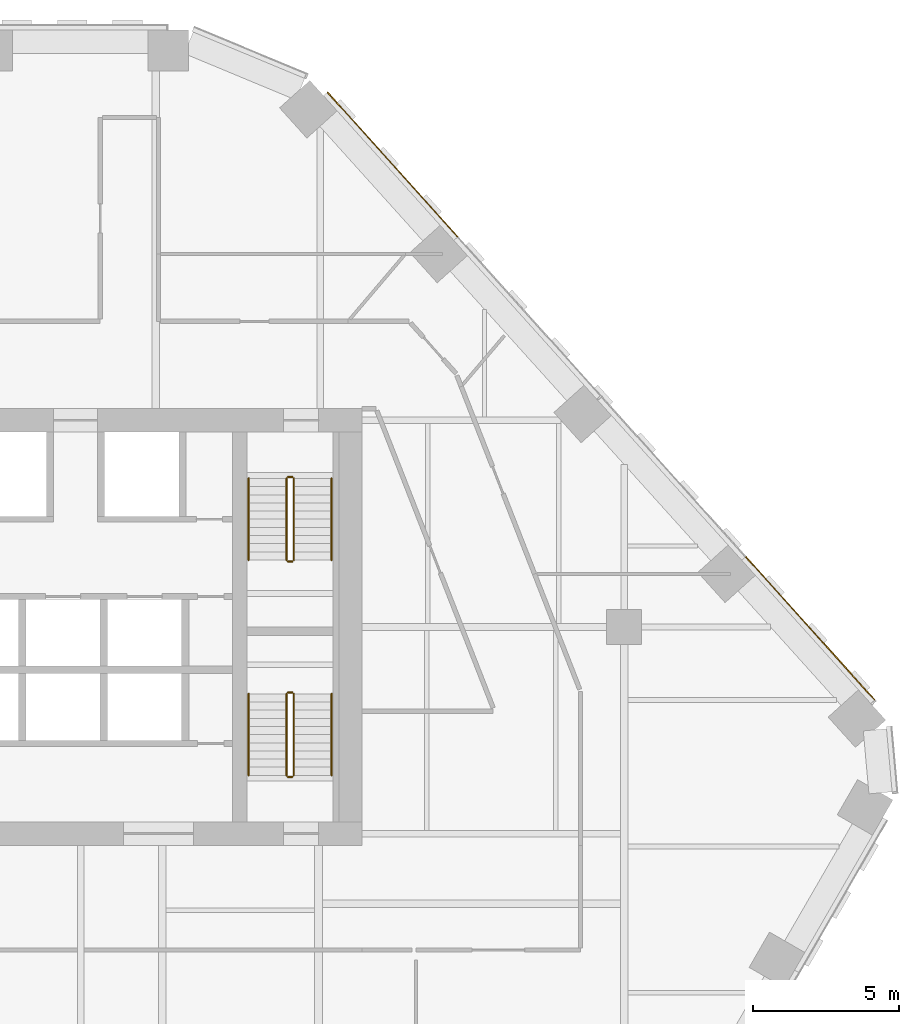
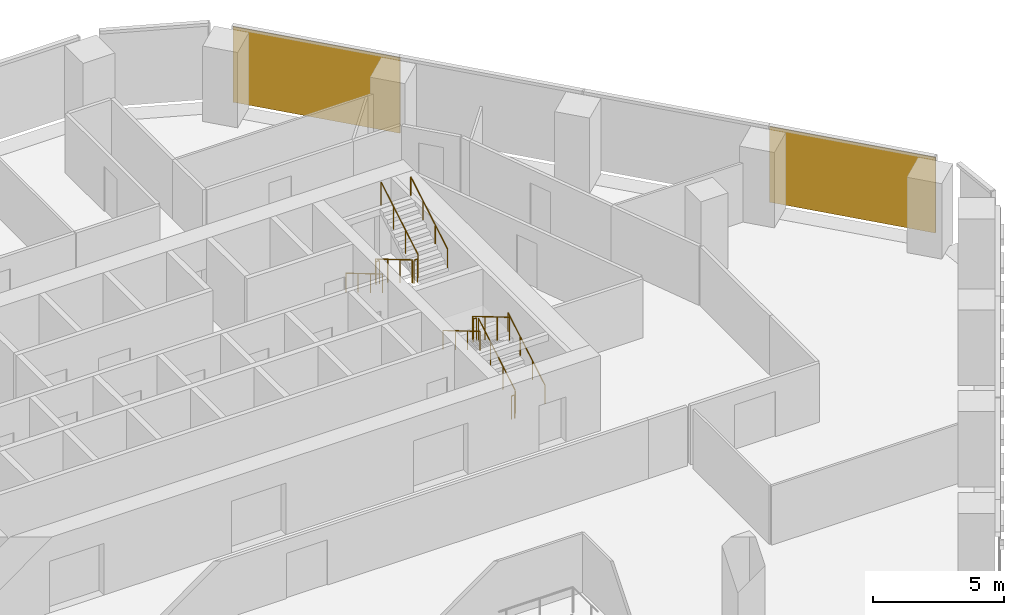
# One storey, part 17 of 17: 12 railings, 2 coverings, 1 element without a shape of its own.
"""IFC4 building model written with IfcOpenShell, lengths in metres."""

from ifc_helpers import new_model, si_unit, direction, frame, origin, origin_2d, place, context, subcontext, project, spatial, rectangle, circle, extrude, material, layer, layer_set, type_object, element, aggregate, save


model = new_model("IFC4")

# Units and contexts
model_context = context("Model", 3, precision=1e-05, world=origin(), true_north=direction((0.0, 1.0)))
body_context = subcontext(model_context, "Body", "Model", "MODEL_VIEW")
ifc_project = project(units=[si_unit("LENGTHUNIT", "METRE"), si_unit("AREAUNIT", "SQUARE_METRE"), si_unit("VOLUMEUNIT", "CUBIC_METRE"), si_unit("PLANEANGLEUNIT", "RADIAN"), si_unit("MASSUNIT", "GRAM", prefix="KILO")], contexts=[model_context])

# Site, building, storey
site_placement = place(None, origin())
site = spatial("IfcSite", under=ifc_project, at=site_placement, CompositionType="ELEMENT")
building_placement = place(site_placement, origin())
building = spatial("IfcBuilding", under=site, at=building_placement, Name="Isthmus Gate Tower", CompositionType="ELEMENT")
storey_placement = place(building_placement, frame((0.0, 0.0, 126.14990234375)))
storey = spatial("IfcBuildingStorey", under=building, at=storey_placement, Name="L30", CompositionType="ELEMENT", Elevation=126.14990234375)

# Curtain wall, coverings
ifc_material_1 = material(Name="Aluminium, pale champagne anodised", Category="aluminium")
ifc_layer_1 = layer(ifc_material_1, 0.199951171875)
ifc_layer_set_1 = layer_set([ifc_layer_1], Name="CW-1 UNITISED CURTAIN WALL 200 DEEP")
curtain_wall_type = type_object("IfcCurtainWallType", Name="CW-1 UNITISED CURTAIN WALL 200 DEEP", PredefinedType="NOTDEFINED", material=ifc_layer_set_1)
curtain_wall_placement = place(storey_placement, origin())
curtain_wall = element("IfcCurtainWall", 1, at=curtain_wall_placement, inside=storey, type_object=curtain_wall_type, Name="CW-1 NE L30", PredefinedType="NOTDEFINED")
ifc_material_2 = material(Name="Aluminium composite panel, pale champagne anodised", Category="aluminium")
ifc_layer_2 = layer(ifc_material_2, 0.035888671875)
ifc_layer_set_2 = layer_set([ifc_layer_2], Name="CW-1 PALE METAL PANEL 36")
covering_type = type_object("IfcCoveringType", Name="CW-1 PALE METAL PANEL 36", PredefinedType="CLADDING", material=ifc_layer_set_2)
covering_1_placement = place(storey_placement, frame((30.3916015625, 7.449462890625, 0.0), z_axis=(0.0, 0.0, 1.0), x_axis=(-0.669130606359, 0.743144825477, 0.0)))
covering_1 = element("IfcCovering", 2, at=covering_1_placement, type_object=covering_type, Name="CW-1 pale metal panel", PredefinedType="CLADDING", context=body_context, shape_type="SweptSolid", body=[
    extrude(rectangle(XDim=6.630859375, YDim=0.035888671875, at=origin_2d()), origin(), (0.0, 0.0, 1.0), 3.510009765625),
])
covering_2_placement = place(storey_placement, frame((16.0439453125, 23.38427734375, 0.0), z_axis=(0.0, 0.0, 1.0), x_axis=(-0.669130606359, 0.743144825477, 0.0)))
covering_2 = element("IfcCovering", 3, at=covering_2_placement, type_object=covering_type, Name="CW-1 pale metal panel", PredefinedType="CLADDING", context=body_context, shape_type="SweptSolid", body=[
    extrude(rectangle(XDim=6.690673828125, YDim=0.035888671875, at=origin_2d()), origin(), (0.0, 0.0, 1.0), 3.510009765625),
])
aggregate(curtain_wall, [covering_1, covering_2])

# Railings
ifc_material_3 = material(Name="Stainless steel balustrade", Category="steel")
railing_type_1 = type_object("IfcRailingType", Name="STAIR GUARD 1100", PredefinedType="GUARDRAIL", material=ifc_material_3)
railing_1_placement = place(storey_placement, frame((12.39990234375, 12.60009765625, 0.166015625)))
element("IfcRailing", 4, at=railing_1_placement, inside=storey, type_object=railing_type_1, Name="L30 ST2 stair guard 1", PredefinedType="GUARDRAIL", context=body_context, shape_type="SweptSolid", body=[
    extrude(circle(Radius=0.02392578125, at=origin_2d()), frame((0.0, 0.0, 1.076171875), z_axis=(0.0, -0.860306154799, 0.50977771628), x_axis=(1.0, 0.0, 0.0)), (0.0, 0.0, 1.0), 3.254638671875),
    extrude(circle(Radius=0.02099609375, at=origin_2d()), origin(), (0.0, 0.0, 1.0), 1.052001953125),
    extrude(circle(Radius=0.02099609375, at=origin_2d()), frame((0.0, -0.933349609375, 0.552978515625)), (0.0, 0.0, 1.0), 1.052001953125),
    extrude(circle(Radius=0.02099609375, at=origin_2d()), frame((0.0, -1.86669921875, 1.106201171875)), (0.0, 0.0, 1.0), 1.052001953125),
    extrude(circle(Radius=0.02099609375, at=origin_2d()), frame((0.0, -2.800048828125, 1.6591796875)), (0.0, 0.0, 1.0), 1.052001953125),
])
railing_2_placement = place(storey_placement, frame((12.449951171875, 9.75, 1.8251953125)))
element("IfcRailing", 5, at=railing_2_placement, inside=storey, type_object=railing_type_1, Name="L30 ST2 stair guard 2", PredefinedType="GUARDRAIL", context=body_context, shape_type="SweptSolid", body=[
    extrude(circle(Radius=0.02392578125, at=origin_2d()), frame((0.0, 0.0, 1.076171875), z_axis=(1.0, 0.0, 0.0), x_axis=(0.0, 1.0, 0.0)), (0.0, 0.0, 1.0), 0.150146484375),
    extrude(circle(Radius=0.02099609375, at=origin_2d()), origin(), (0.0, 0.0, 1.0), 1.052001953125),
    extrude(circle(Radius=0.02099609375, at=origin_2d()), frame((0.150146484375, 0.0, 0.0)), (0.0, 0.0, 1.0), 1.052001953125),
])
railing_3_placement = place(storey_placement, frame((12.64990234375, 9.800048828125, 1.990966796875)))
element("IfcRailing", 6, at=railing_3_placement, inside=storey, type_object=railing_type_1, Name="L30 ST2 stair guard 3", PredefinedType="GUARDRAIL", context=body_context, shape_type="SweptSolid", body=[
    extrude(circle(Radius=0.02392578125, at=origin_2d()), frame((0.0, 0.0, 1.076171875), z_axis=(0.0, 0.860306154799, 0.50977771628), x_axis=(-1.0, 0.0, 0.0)), (0.0, 0.0, 1.0), 3.254638671875),
    extrude(circle(Radius=0.02099609375, at=origin_2d()), origin(), (0.0, 0.0, 1.0), 1.052001953125),
    extrude(circle(Radius=0.02099609375, at=origin_2d()), frame((0.0, 0.933349609375, 0.552978515625)), (0.0, 0.0, 1.0), 1.052001953125),
    extrude(circle(Radius=0.02099609375, at=origin_2d()), frame((0.0, 1.86669921875, 1.106201171875)), (0.0, 0.0, 1.0), 1.052001953125),
    extrude(circle(Radius=0.02099609375, at=origin_2d()), frame((0.0, 2.800048828125, 1.6591796875)), (0.0, 0.0, 1.0), 1.052001953125),
])
railing_4_placement = place(storey_placement, frame((12.449951171875, 12.64990234375, 0.0)))
element("IfcRailing", 7, at=railing_4_placement, inside=storey, type_object=railing_type_1, Name="L30 ST2 stair guard 4", PredefinedType="GUARDRAIL", context=body_context, shape_type="SweptSolid", body=[
    extrude(circle(Radius=0.02392578125, at=origin_2d()), frame((0.0, 0.0, 1.076171875), z_axis=(1.0, 0.0, 0.0), x_axis=(0.0, 1.0, 0.0)), (0.0, 0.0, 1.0), 0.150146484375),
    extrude(circle(Radius=0.02099609375, at=origin_2d()), origin(), (0.0, 0.0, 1.0), 1.052001953125),
    extrude(circle(Radius=0.02099609375, at=origin_2d()), frame((0.150146484375, 0.0, 0.0)), (0.0, 0.0, 1.0), 1.052001953125),
])
railing_5_placement = place(storey_placement, frame((12.64990234375, 2.39990234375, 0.166015625)))
element("IfcRailing", 8, at=railing_5_placement, inside=storey, type_object=railing_type_1, Name="L30 ST8 stair guard 1", PredefinedType="GUARDRAIL", context=body_context, shape_type="SweptSolid", body=[
    extrude(circle(Radius=0.02392578125, at=origin_2d()), frame((0.0, 0.0, 1.076171875), z_axis=(0.0, 0.860306154799, 0.50977771628), x_axis=(-1.0, 0.0, 0.0)), (0.0, 0.0, 1.0), 3.254638671875),
    extrude(circle(Radius=0.02099609375, at=origin_2d()), origin(), (0.0, 0.0, 1.0), 1.052001953125),
    extrude(circle(Radius=0.02099609375, at=origin_2d()), frame((0.0, 0.933349609375, 0.552978515625)), (0.0, 0.0, 1.0), 1.052001953125),
    extrude(circle(Radius=0.02099609375, at=origin_2d()), frame((0.0, 1.86669921875, 1.106201171875)), (0.0, 0.0, 1.0), 1.052001953125),
    extrude(circle(Radius=0.02099609375, at=origin_2d()), frame((0.0, 2.800048828125, 1.6591796875)), (0.0, 0.0, 1.0), 1.052001953125),
])
railing_6_placement = place(storey_placement, frame((12.60009765625, 5.25, 1.8251953125)))
element("IfcRailing", 9, at=railing_6_placement, inside=storey, type_object=railing_type_1, Name="L30 ST8 stair guard 2", PredefinedType="GUARDRAIL", context=body_context, shape_type="SweptSolid", body=[
    extrude(circle(Radius=0.02392578125, at=origin_2d()), frame((0.0, 0.0, 1.076171875), z_axis=(-1.0, 0.0, 0.0), x_axis=(0.0, -1.0, 0.0)), (0.0, 0.0, 1.0), 0.150146484375),
    extrude(circle(Radius=0.02099609375, at=origin_2d()), origin(), (0.0, 0.0, 1.0), 1.052001953125),
    extrude(circle(Radius=0.02099609375, at=origin_2d()), frame((-0.150146484375, 0.0, 0.0)), (0.0, 0.0, 1.0), 1.052001953125),
])
railing_7_placement = place(storey_placement, frame((12.39990234375, 5.199951171875, 1.990966796875)))
element("IfcRailing", 10, at=railing_7_placement, inside=storey, type_object=railing_type_1, Name="L30 ST8 stair guard 3", PredefinedType="GUARDRAIL", context=body_context, shape_type="SweptSolid", body=[
    extrude(circle(Radius=0.02392578125, at=origin_2d()), frame((0.0, 0.0, 1.076171875), z_axis=(0.0, -0.860306154799, 0.50977771628), x_axis=(1.0, 0.0, 0.0)), (0.0, 0.0, 1.0), 3.254638671875),
    extrude(circle(Radius=0.02099609375, at=origin_2d()), origin(), (0.0, 0.0, 1.0), 1.052001953125),
    extrude(circle(Radius=0.02099609375, at=origin_2d()), frame((0.0, -0.933349609375, 0.552978515625)), (0.0, 0.0, 1.0), 1.052001953125),
    extrude(circle(Radius=0.02099609375, at=origin_2d()), frame((0.0, -1.86669921875, 1.106201171875)), (0.0, 0.0, 1.0), 1.052001953125),
    extrude(circle(Radius=0.02099609375, at=origin_2d()), frame((0.0, -2.800048828125, 1.6591796875)), (0.0, 0.0, 1.0), 1.052001953125),
])
railing_8_placement = place(storey_placement, frame((12.60009765625, 2.35009765625, 0.0)))
element("IfcRailing", 11, at=railing_8_placement, inside=storey, type_object=railing_type_1, Name="L30 ST8 stair guard 4", PredefinedType="GUARDRAIL", context=body_context, shape_type="SweptSolid", body=[
    extrude(circle(Radius=0.02392578125, at=origin_2d()), frame((0.0, 0.0, 1.076171875), z_axis=(-1.0, 0.0, 0.0), x_axis=(0.0, -1.0, 0.0)), (0.0, 0.0, 1.0), 0.150146484375),
    extrude(circle(Radius=0.02099609375, at=origin_2d()), origin(), (0.0, 0.0, 1.0), 1.052001953125),
    extrude(circle(Radius=0.02099609375, at=origin_2d()), frame((-0.150146484375, 0.0, 0.0)), (0.0, 0.0, 1.0), 1.052001953125),
])
ifc_material_4 = material(Name="Stainless steel handrail", Category="steel")
railing_type_2 = type_object("IfcRailingType", Name="STAIR HANDRAIL 900", PredefinedType="HANDRAIL", material=ifc_material_4)
railing_9_placement = place(storey_placement, frame((11.10009765625, 12.60009765625, 0.166015625)))
element("IfcRailing", 12, at=railing_9_placement, inside=storey, type_object=railing_type_2, Name="L30 ST2 stair handrail 1", PredefinedType="HANDRAIL", context=body_context, shape_type="SweptSolid", body=[
    extrude(circle(Radius=0.02392578125, at=origin_2d()), frame((0.0, 0.0, 0.8759765625), z_axis=(0.0, -0.860306154799, 0.50977771628), x_axis=(1.0, 0.0, 0.0)), (0.0, 0.0, 1.0), 3.254638671875),
    extrude(circle(Radius=0.02099609375, at=origin_2d()), origin(), (0.0, 0.0, 1.0), 0.851806640625),
    extrude(circle(Radius=0.02099609375, at=origin_2d()), frame((0.0, -0.933349609375, 0.552978515625)), (0.0, 0.0, 1.0), 0.851806640625),
    extrude(circle(Radius=0.02099609375, at=origin_2d()), frame((0.0, -1.86669921875, 1.106201171875)), (0.0, 0.0, 1.0), 0.851806640625),
    extrude(circle(Radius=0.02099609375, at=origin_2d()), frame((0.0, -2.800048828125, 1.6591796875)), (0.0, 0.0, 1.0), 0.851806640625),
])
for number, where, name in (
    (13, (13.949951171875, 9.800048828125, 1.990966796875), "L30 ST2 stair handrail 2"),
    (14, (13.949951171875, 2.39990234375, 0.166015625), "L30 ST8 stair handrail 1"),
):
    element("IfcRailing", number, at=place(storey_placement, frame(where)), inside=storey, type_object=railing_type_2, Name=name, PredefinedType="HANDRAIL", context=body_context, shape_type="SweptSolid", body=[
        extrude(circle(Radius=0.02392578125, at=origin_2d()), frame((0.0, 0.0, 0.8759765625), z_axis=(0.0, 0.860306154799, 0.50977771628), x_axis=(-1.0, 0.0, 0.0)), (0.0, 0.0, 1.0), 3.254638671875),
        extrude(circle(Radius=0.02099609375, at=origin_2d()), origin(), (0.0, 0.0, 1.0), 0.851806640625),
        extrude(circle(Radius=0.02099609375, at=origin_2d()), frame((0.0, 0.933349609375, 0.552978515625)), (0.0, 0.0, 1.0), 0.851806640625),
        extrude(circle(Radius=0.02099609375, at=origin_2d()), frame((0.0, 1.86669921875, 1.106201171875)), (0.0, 0.0, 1.0), 0.851806640625),
        extrude(circle(Radius=0.02099609375, at=origin_2d()), frame((0.0, 2.800048828125, 1.6591796875)), (0.0, 0.0, 1.0), 0.851806640625),
    ])
railing_10_placement = place(storey_placement, frame((11.10009765625, 5.199951171875, 1.990966796875)))
element("IfcRailing", 15, at=railing_10_placement, inside=storey, type_object=railing_type_2, Name="L30 ST8 stair handrail 2", PredefinedType="HANDRAIL", context=body_context, shape_type="SweptSolid", body=[
    extrude(circle(Radius=0.02392578125, at=origin_2d()), frame((0.0, 0.0, 0.8759765625), z_axis=(0.0, -0.860306154799, 0.50977771628), x_axis=(1.0, 0.0, 0.0)), (0.0, 0.0, 1.0), 3.254638671875),
    extrude(circle(Radius=0.02099609375, at=origin_2d()), origin(), (0.0, 0.0, 1.0), 0.851806640625),
    extrude(circle(Radius=0.02099609375, at=origin_2d()), frame((0.0, -0.933349609375, 0.552978515625)), (0.0, 0.0, 1.0), 0.851806640625),
    extrude(circle(Radius=0.02099609375, at=origin_2d()), frame((0.0, -1.86669921875, 1.106201171875)), (0.0, 0.0, 1.0), 0.851806640625),
    extrude(circle(Radius=0.02099609375, at=origin_2d()), frame((0.0, -2.800048828125, 1.6591796875)), (0.0, 0.0, 1.0), 0.851806640625),
])

save(model, "model.ifc")
